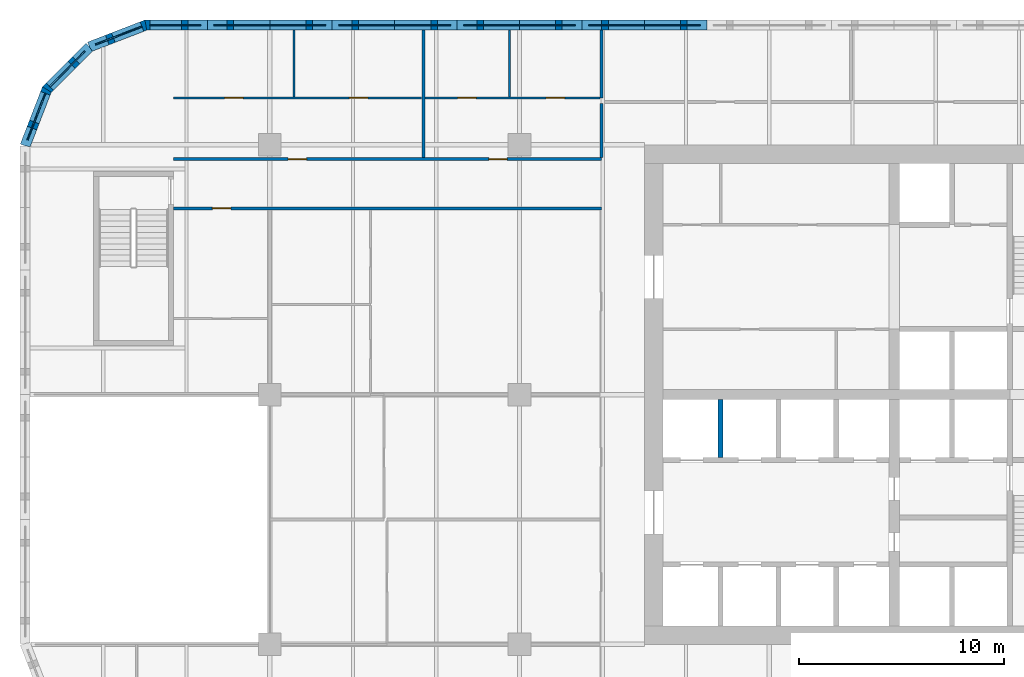
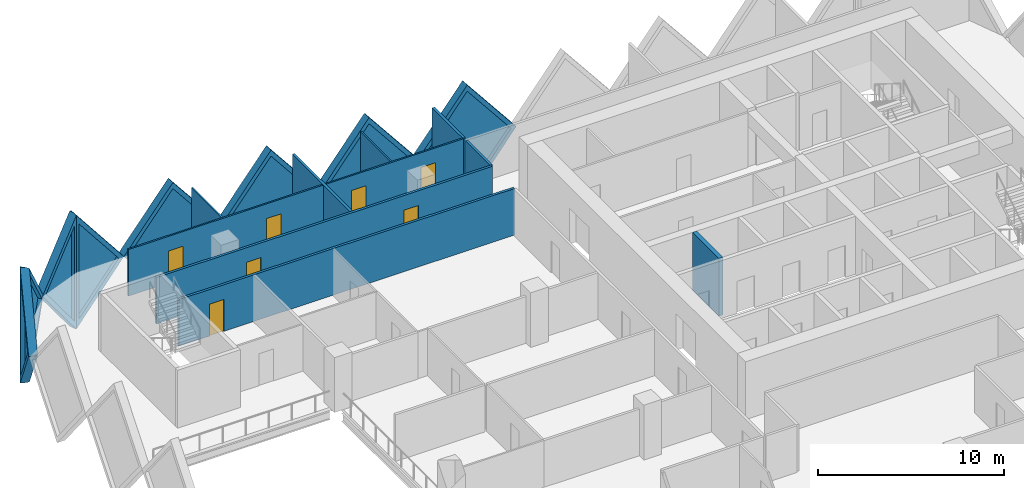
# One storey, part 8 of 18: 18 walls, 8 plates, 7 doors, 15 openings.
"""IFC4 building model written with IfcOpenShell, lengths in metres."""

from ifc_helpers import new_model, si_unit, direction, frame, frame_2d, origin, place, context, subcontext, project, spatial, polyline, rectangle, outline, extrude, faceted_brep, source, transform, mapped, material, layer, layer_set, type_object, element, fill, save


model = new_model("IFC4")

# Units and contexts
model_context = context("Model", 3, precision=1e-05, world=origin(), true_north=direction((0.0, 1.0)))
body_context = subcontext(model_context, "Body", "Model", "MODEL_VIEW")
ifc_project = project(units=[si_unit("LENGTHUNIT", "METRE"), si_unit("AREAUNIT", "SQUARE_METRE"), si_unit("VOLUMEUNIT", "CUBIC_METRE"), si_unit("PLANEANGLEUNIT", "RADIAN"), si_unit("MASSUNIT", "GRAM", prefix="KILO")], contexts=[model_context])

# Site, building, storey
site_placement = place(None, origin())
site = spatial("IfcSite", under=ifc_project, at=site_placement, CompositionType="ELEMENT")
building_placement = place(site_placement, origin())
building = spatial("IfcBuilding", under=site, at=building_placement, Name="Tessera Gate Towers", CompositionType="ELEMENT")
storey_placement = place(building_placement, frame((0.0, 0.0, 41.0)))
storey = spatial("IfcBuildingStorey", under=building, at=storey_placement, Name="L09", CompositionType="ELEMENT", Elevation=41.0)

# Wall
ifc_material_1 = material(Name="Concrete C40/50", Category="concrete")
ifc_layer_1 = layer(ifc_material_1, 0.25)
ifc_layer_set_1 = layer_set([ifc_layer_1], Name="CORE ENCLOSURE WALL 250")
wall_type_1 = type_object("IfcWallType", Name="CORE ENCLOSURE WALL 250", PredefinedType="SOLIDWALL", material=ifc_layer_set_1)
wall_1_placement = place(storey_placement, frame((34.22509765625, 33.52490234375, 0.0), z_axis=(0.0, 0.0, 1.0), x_axis=(0.0, 1.0, 0.0)))
element("IfcWall", 1, at=wall_1_placement, inside=storey, type_object=wall_type_1, Name="L09 shaft and stair enclosure wall", PredefinedType="SOLIDWALL", context=body_context, shape_type="SweptSolid", body=[
    extrude(rectangle(XDim=2.8251953125, YDim=0.25, at=frame_2d((1.41259765625, 0.0))), origin(), (0.0, 0.0, 1.0), 3.800048828125),
])

# Wall, opening, door
ifc_material_2 = material(Name="Gypsum board on steel studs, mineral wool", Category="steel")
ifc_layer_2 = layer(ifc_material_2, 0.14990234375)
ifc_layer_set_2 = layer_set([ifc_layer_2], Name="CORRIDOR WALL 150")
wall_type_2 = type_object("IfcWallType", Name="CORRIDOR WALL 150", PredefinedType="PARTITIONING", material=ifc_layer_set_2)
wall_2_placement = place(storey_placement, frame((28.39990234375, 45.699951171875, 0.0), z_axis=(0.0, 0.0, 1.0), x_axis=(-1.0, 0.0, 0.0)))
wall_2 = element("IfcWall", 2, at=wall_2_placement, inside=storey, type_object=wall_type_2, Name="T1-L09-PW-042", PredefinedType="PARTITIONING", context=body_context, shape_type="SweptSolid", body=[
    extrude(rectangle(XDim=20.89990234375, YDim=0.14990234375, at=frame_2d((10.449951171875, 0.0))), origin(), (0.0, 0.0, 1.0), 3.06689453125),
])
shared_shape_1 = source(origin(), body_context, "Body", "SweptSolid", [
    extrude(rectangle(XDim=0.89990234375, YDim=2.10009765625, at=frame_2d((0.449951171875, 1.050048828125))), frame((0.0, 0.0849609375, 0.0), z_axis=(0.0, -1.0, 0.0), x_axis=(1.0, 0.0, 0.0)), (0.0, 0.0, 1.0), 0.169921875),
])
opening_1_placement = place(wall_2_placement, frame((18.10009765625, 0.0, 0.0)))
opening_1 = element("IfcOpeningElement", 3, at=opening_1_placement, cuts=wall_2, Name="Opening D890FD60-A03-02", PredefinedType="OPENING", context=body_context, shape_type="MappedRepresentation", body=[
    mapped(shared_shape_1, transform((0.0, 0.0, 0.0), scale=1.0)),
])
ifc_material_3 = material(Name="Timber door leaf in steel frame", Category="steel")
door_type_1 = type_object("IfcDoorType", Name="CORRIDOR DOOR 900 FD60", OperationType="NOTDEFINED", PredefinedType="DOOR", material=ifc_material_3)
shared_shape_2 = source(origin(), body_context, "Body", "SweptSolid", [
    extrude(rectangle(XDim=0.89990234375, YDim=2.10009765625, at=frame_2d((0.449951171875, 1.050048828125))), frame((0.0, 0.02490234375, 0.0), z_axis=(0.0, -1.0, 0.0), x_axis=(1.0, 0.0, 0.0)), (0.0, 0.0, 1.0), 0.050048828125),
])
door_1_placement = place(opening_1_placement, origin())
door_1 = element("IfcDoor", 4, at=door_1_placement, inside=storey, type_object=door_type_1, Name="T1-L09-PD-007", OperationType="SINGLE_SWING_RIGHT", OverallHeight=2.10009765625, OverallWidth=0.89990234375, PredefinedType="DOOR", context=body_context, shape_type="MappedRepresentation", body=[
    mapped(shared_shape_2, transform((0.0, 0.0, 0.0), scale=1.0)),
])
fill(opening_1, door_1)

# Wall, openings, doors
wall_3_placement = place(storey_placement, frame((7.5, 48.10009765625, 0.0), z_axis=(0.0, 0.0, 1.0), x_axis=(1.0, 0.0, 0.0)))
wall_3 = element("IfcWall", 5, at=wall_3_placement, inside=storey, type_object=wall_type_2, Name="T1-L09-PW-043", PredefinedType="PARTITIONING", context=body_context, shape_type="SweptSolid", body=[
    extrude(rectangle(XDim=20.89990234375, YDim=0.14990234375, at=frame_2d((10.449951171875, 0.0))), origin(), (0.0, 0.0, 1.0), 3.06689453125),
])
opening_2_placement = place(wall_3_placement, frame((15.40087890625, 0.0, 0.0)))
opening_2 = element("IfcOpeningElement", 6, at=opening_2_placement, cuts=wall_3, Name="Opening D890FD60-A03-07", PredefinedType="OPENING", context=body_context, shape_type="MappedRepresentation", body=[
    mapped(shared_shape_1, transform((0.0, 0.0, 0.0), scale=1.0)),
])
opening_3_placement = place(wall_3_placement, frame((5.60009765625, 0.0, 0.0)))
opening_3 = element("IfcOpeningElement", 7, at=opening_3_placement, cuts=wall_3, Name="Opening D890FD60-A03-12", PredefinedType="OPENING", context=body_context, shape_type="MappedRepresentation", body=[
    mapped(shared_shape_1, transform((0.0, 0.0, 0.0), scale=1.0)),
])
door_2_placement = place(opening_2_placement, origin())
door_2 = element("IfcDoor", 8, at=door_2_placement, inside=storey, type_object=door_type_1, Name="T1-L09-PD-022", OperationType="SINGLE_SWING_LEFT", OverallHeight=2.10009765625, OverallWidth=0.89990234375, PredefinedType="DOOR", context=body_context, shape_type="MappedRepresentation", body=[
    mapped(shared_shape_2, transform((0.0, 0.0, 0.0), scale=1.0)),
])
fill(opening_2, door_2)
door_3_placement = place(opening_3_placement, origin())
door_3 = element("IfcDoor", 9, at=door_3_placement, inside=storey, type_object=door_type_1, Name="T1-L09-PD-029", OperationType="SINGLE_SWING_LEFT", OverallHeight=2.10009765625, OverallWidth=0.89990234375, PredefinedType="DOOR", context=body_context, shape_type="MappedRepresentation", body=[
    mapped(shared_shape_2, transform((0.0, 0.0, 0.0), scale=1.0)),
])
fill(opening_3, door_3)

# Wall
wall_4_placement = place(storey_placement, frame((28.39990234375, 48.176025390625, 0.0), z_axis=(0.0, 0.0, 1.0), x_axis=(0.0, 1.0, 0.0)))
element("IfcWall", 10, at=wall_4_placement, inside=storey, type_object=wall_type_2, Name="T1-L09-PW-045", PredefinedType="PARTITIONING", context=body_context, shape_type="SweptSolid", body=[
    extrude(rectangle(XDim=2.64794921875, YDim=0.14990234375, at=frame_2d((1.323974609375, 0.0))), origin(), (0.0, 0.0, 1.0), 3.06689453125),
])

# Wall, openings, doors
ifc_material_4 = material(Name="Gypsum board on steel studs", Category="steel")
ifc_layer_3 = layer(ifc_material_4, 0.10009765625)
ifc_layer_set_3 = layer_set([ifc_layer_3], Name="PARTITION 100")
wall_type_3 = type_object("IfcWallType", Name="PARTITION 100", PredefinedType="PARTITIONING", material=ifc_layer_set_3)
wall_5_placement = place(storey_placement, frame((7.5, 51.10009765625, 0.0), z_axis=(0.0, 0.0, 1.0), x_axis=(1.0, 0.0, 0.0)))
wall_5 = element("IfcWall", 11, at=wall_5_placement, inside=storey, type_object=wall_type_3, Name="T1-L09-PW-049", PredefinedType="PARTITIONING", context=body_context, shape_type="SweptSolid", body=[
    extrude(rectangle(XDim=12.1240234375, YDim=0.10009765625, at=frame_2d((6.06201171875, 0.0))), origin(), (0.0, 0.0, 1.0), 3.06689453125),
])
shared_shape_3 = source(origin(), body_context, "Body", "SweptSolid", [
    extrude(rectangle(XDim=0.89990234375, YDim=2.10009765625, at=frame_2d((0.449951171875, 1.050048828125))), frame((0.0, 0.06005859375, 0.0), z_axis=(0.0, -1.0, 0.0), x_axis=(1.0, 0.0, 0.0)), (0.0, 0.0, 1.0), 0.1201171875),
])
opening_4_placement = place(wall_5_placement, frame((2.5, 0.0, 0.0)))
opening_4 = element("IfcOpeningElement", 12, at=opening_4_placement, cuts=wall_5, Name="Opening D190-A03-07", PredefinedType="OPENING", context=body_context, shape_type="MappedRepresentation", body=[
    mapped(shared_shape_3, transform((0.0, 0.0, 0.0), scale=1.0)),
])
opening_5_placement = place(wall_5_placement, frame((8.59375, 0.0, 0.0)))
opening_5 = element("IfcOpeningElement", 13, at=opening_5_placement, cuts=wall_5, Name="Opening D190-A03-10", PredefinedType="OPENING", context=body_context, shape_type="MappedRepresentation", body=[
    mapped(shared_shape_3, transform((0.0, 0.0, 0.0), scale=1.0)),
])
ifc_material_5 = material(Name="Timber door leaf in steel frame", Category="steel")
door_type_2 = type_object("IfcDoorType", Name="INTERNAL DOOR 900 NOT RATED", OperationType="NOTDEFINED", PredefinedType="DOOR", material=ifc_material_5)
door_4_placement = place(opening_4_placement, origin())
door_4 = element("IfcDoor", 14, at=door_4_placement, inside=storey, type_object=door_type_2, Name="T1-L09-PD-011", OperationType="SINGLE_SWING_LEFT", OverallHeight=2.10009765625, OverallWidth=0.89990234375, PredefinedType="DOOR", context=body_context, shape_type="MappedRepresentation", body=[
    mapped(shared_shape_2, transform((0.0, 0.0, 0.0), scale=1.0)),
])
fill(opening_4, door_4)
door_5_placement = place(opening_5_placement, origin())
door_5 = element("IfcDoor", 15, at=door_5_placement, inside=storey, type_object=door_type_2, Name="T1-L09-PD-018", OperationType="SINGLE_SWING_LEFT", OverallHeight=2.10009765625, OverallWidth=0.89990234375, PredefinedType="DOOR", context=body_context, shape_type="MappedRepresentation", body=[
    mapped(shared_shape_2, transform((0.0, 0.0, 0.0), scale=1.0)),
])
fill(opening_5, door_5)

wall_6_placement = place(storey_placement, frame((19.77587890625, 51.10009765625, 0.0), z_axis=(0.0, 0.0, 1.0), x_axis=(1.0, 0.0, 0.0)))
wall_6 = element("IfcWall", 16, at=wall_6_placement, inside=storey, type_object=wall_type_3, Name="T1-L09-PW-050", PredefinedType="PARTITIONING", context=body_context, shape_type="SweptSolid", body=[
    extrude(rectangle(XDim=8.548095703125, YDim=0.10009765625, at=frame_2d((4.27392578125, 0.0))), origin(), (0.0, 0.0, 1.0), 3.06689453125),
])
opening_6_placement = place(wall_6_placement, frame((1.60009765625, 0.0, 0.0)))
opening_6 = element("IfcOpeningElement", 17, at=opening_6_placement, cuts=wall_6, Name="Opening D190-A03-01", PredefinedType="OPENING", context=body_context, shape_type="MappedRepresentation", body=[
    mapped(shared_shape_3, transform((0.0, 0.0, 0.0), scale=1.0)),
])
opening_7_placement = place(wall_6_placement, frame((5.927001953125, 0.0, 0.0)))
opening_7 = element("IfcOpeningElement", 18, at=opening_7_placement, cuts=wall_6, Name="Opening D190-A03-03", PredefinedType="OPENING", context=body_context, shape_type="MappedRepresentation", body=[
    mapped(shared_shape_3, transform((0.0, 0.0, 0.0), scale=1.0)),
])
door_6_placement = place(opening_6_placement, origin())
door_6 = element("IfcDoor", 19, at=door_6_placement, inside=storey, type_object=door_type_2, Name="T1-L09-PD-002", OperationType="SINGLE_SWING_LEFT", OverallHeight=2.10009765625, OverallWidth=0.89990234375, PredefinedType="DOOR", context=body_context, shape_type="MappedRepresentation", body=[
    mapped(shared_shape_2, transform((0.0, 0.0, 0.0), scale=1.0)),
])
fill(opening_6, door_6)
door_7_placement = place(opening_7_placement, origin())
door_7 = element("IfcDoor", 20, at=door_7_placement, inside=storey, type_object=door_type_2, Name="T1-L09-PD-004", OperationType="SINGLE_SWING_LEFT", OverallHeight=2.10009765625, OverallWidth=0.89990234375, PredefinedType="DOOR", context=body_context, shape_type="MappedRepresentation", body=[
    mapped(shared_shape_2, transform((0.0, 0.0, 0.0), scale=1.0)),
])
fill(opening_7, door_7)

# Walls
for number, where, z_axis, x_axis, name in (
    (21, (13.39404296875, 51.15087890625, 0.0), (0.0, 0.0, 1.0), (0.0, 1.0, 0.0), "T1-L09-PW-052"),
    (22, (23.903076171875, 51.15087890625, 0.0), (0.0, 0.0, 1.0), (0.0, 1.0, 0.0), "T1-L09-PW-053"),
):
    element("IfcWall", number, at=place(storey_placement, frame(where, z_axis=z_axis, x_axis=x_axis)), inside=storey, type_object=wall_type_3, Name=name, PredefinedType="PARTITIONING", context=body_context, shape_type="SweptSolid", body=[
        extrude(rectangle(XDim=3.2490234375, YDim=0.10009765625, at=frame_2d((1.62451171875, 0.0))), origin(), (0.0, 0.0, 1.0), 3.06689453125),
    ])
ifc_material_6 = material(Name="Gypsum board on steel studs, mineral wool", Category="steel")
ifc_layer_4 = layer(ifc_material_6, 0.14990234375)
ifc_layer_set_4 = layer_set([ifc_layer_4], Name="TENANCY WALL 150")
wall_type_4 = type_object("IfcWallType", Name="TENANCY WALL 150", PredefinedType="PARTITIONING", material=ifc_layer_set_4)
wall_7_placement = place(storey_placement, frame((19.699951171875, 48.176025390625, 0.0), z_axis=(0.0, 0.0, 1.0), x_axis=(0.0, 1.0, 0.0)))
element("IfcWall", 23, at=wall_7_placement, inside=storey, type_object=wall_type_4, Name="T1-L09-PW-044", PredefinedType="PARTITIONING", context=body_context, shape_type="SweptSolid", body=[
    extrude(rectangle(XDim=6.223876953125, YDim=0.14990234375, at=frame_2d((3.11181640625, 0.0))), origin(), (0.0, 0.0, 1.0), 3.06689453125),
])
wall_8_placement = place(storey_placement, frame((28.39990234375, 51.10009765625, 0.0), z_axis=(0.0, 0.0, 1.0), x_axis=(0.0, 1.0, 0.0)))
element("IfcWall", 24, at=wall_8_placement, inside=storey, type_object=wall_type_4, Name="T1-L09-PW-051", PredefinedType="PARTITIONING", context=body_context, shape_type="SweptSolid", body=[
    extrude(rectangle(XDim=3.2998046875, YDim=0.14990234375, at=frame_2d((1.64990234375, 0.0))), origin(), (0.0, 0.0, 1.0), 3.06689453125),
])

# Wall, opening, plate
ifc_material_7 = material(Name="Precast concrete C60/75 white", Category="concrete")
ifc_layer_5 = layer(ifc_material_7, 0.5)
ifc_layer_set_5 = layer_set([ifc_layer_5], Name="TS1 tessera")
wall_type_5 = type_object("IfcWallType", Name="TS1 tessera", PredefinedType="SOLIDWALL", material=ifc_layer_set_5)
shared_shape_4 = source(origin(), body_context, "Body", "Brep", [
    faceted_brep([(3.050048828125, -0.25, 0.0), (6.099853515625, -0.25, 3.7998046875), (6.099853515625, -0.25, 3.80029296875), (3.050048828125, -0.25, 7.60009765625), (0.0, -0.25, 3.800048828125), (0.0, 0.25, 3.800048828125), (3.050048828125, 0.25, 7.60009765625), (6.099853515625, 0.25, 3.80029296875), (6.099853515625, 0.25, 3.7998046875), (3.050048828125, 0.25, 0.0)], [[[0, 1, 2, 3, 4]], [[5, 6, 7, 8, 9]], [[9, 8, 1, 0]], [[7, 6, 3, 2]], [[6, 5, 4, 3]], [[5, 9, 0, 4]], [[1, 8, 7, 2]]]),
])
wall_9_placement = place(storey_placement, frame((27.449951171875, 54.64990234375, -3.800048828125), z_axis=(0.0, 0.0, 1.0), x_axis=(-1.0, 0.0, 0.0)))
wall_9 = element("IfcWall", 25, at=wall_9_placement, inside=storey, type_object=wall_type_5, Name="Precast tessera T1 TS1-0106", PredefinedType="SOLIDWALL", context=body_context, shape_type="MappedRepresentation", body=[
    mapped(shared_shape_4, transform((0.0, 0.0, 0.0), scale=1.0)),
])
shared_shape_5 = source(origin(), body_context, "Body", "SweptSolid", [
    extrude(outline(polyline([(3.050048828125, 0.3994140625), (5.779541015625, 3.800048828125), (3.050048828125, 7.20068359375), (0.320556640625, 3.800048828125), (3.050048828125, 0.3994140625)])), frame((0.0, 0.260009765625, 0.0), z_axis=(0.0, -1.0, 0.0), x_axis=(1.0, 0.0, 0.0)), (0.0, 0.0, 1.0), 0.52001953125),
])
opening_8_placement = place(wall_9_placement, origin())
opening_8 = element("IfcOpeningElement", 26, at=opening_8_placement, cuts=wall_9, Name="Opening T1-PL2-0212", PredefinedType="OPENING", context=body_context, shape_type="MappedRepresentation", body=[
    mapped(shared_shape_5, transform((0.0, 0.0, 0.0), scale=1.0)),
])
ifc_material_8 = material(Name="Low-e laminated glass", Category="glass")
ifc_layer_6 = layer(ifc_material_8, 0.06005859375)
ifc_layer_set_6 = layer_set([ifc_layer_6], Name="PL2 rhombic pane")
plate_type = type_object("IfcPlateType", Name="PL2 rhombic pane", PredefinedType="SHEET", material=ifc_layer_set_6)
shared_shape_6 = source(origin(), body_context, "Body", "SweptSolid", [
    extrude(outline(polyline([(3.050048828125, 0.3994140625), (5.779541015625, 3.800048828125), (3.050048828125, 7.20068359375), (0.320556640625, 3.800048828125), (3.050048828125, 0.3994140625)])), frame((0.0, 0.030029296875, 0.0), z_axis=(0.0, -1.0, 0.0), x_axis=(1.0, 0.0, 0.0)), (0.0, 0.0, 1.0), 0.06005859375),
])
plate_1_placement = place(opening_8_placement, origin())
plate_1 = element("IfcPlate", 27, at=plate_1_placement, inside=storey, type_object=plate_type, Name="Glass pane T1 PL2-0212", PredefinedType="SHEET", context=body_context, shape_type="MappedRepresentation", body=[
    mapped(shared_shape_6, transform((0.0, 0.0, 0.0), scale=1.0)),
])
fill(opening_8, plate_1)

shared_shape_7 = source(origin(), body_context, "Body", "SweptSolid", [
    extrude(outline(polyline([(3.050048828125, 0.0), (6.10009765625, 3.800048828125), (3.050048828125, 7.60009765625), (0.0, 3.800048828125), (3.050048828125, 0.0)])), frame((0.0, 0.25, 0.0), z_axis=(0.0, -1.0, 0.0), x_axis=(1.0, 0.0, 0.0)), (0.0, 0.0, 1.0), 0.5),
])
wall_10_placement = place(storey_placement, frame((33.550048828125, 54.64990234375, -3.800048828125), z_axis=(0.0, 0.0, 1.0), x_axis=(-1.0, 0.0, 0.0)))
wall_10 = element("IfcWall", 28, at=wall_10_placement, inside=storey, type_object=wall_type_5, Name="Precast tessera T1 TS1-0105", PredefinedType="SOLIDWALL", context=body_context, shape_type="MappedRepresentation", body=[
    mapped(shared_shape_7, transform((0.0, 0.0, 0.0), scale=1.0)),
])
opening_9_placement = place(wall_10_placement, origin())
opening_9 = element("IfcOpeningElement", 29, at=opening_9_placement, cuts=wall_10, Name="Opening T1-PL2-0211", PredefinedType="OPENING", context=body_context, shape_type="MappedRepresentation", body=[
    mapped(shared_shape_5, transform((0.0, 0.0, 0.0), scale=1.0)),
])
plate_2_placement = place(opening_9_placement, origin())
plate_2 = element("IfcPlate", 30, at=plate_2_placement, inside=storey, type_object=plate_type, Name="Glass pane T1 PL2-0211", PredefinedType="SHEET", context=body_context, shape_type="MappedRepresentation", body=[
    mapped(shared_shape_6, transform((0.0, 0.0, 0.0), scale=1.0)),
])
fill(opening_9, plate_2)

wall_11_placement = place(storey_placement, frame((21.35009765625, 54.64990234375, -3.800048828125), z_axis=(0.0, 0.0, 1.0), x_axis=(-1.0, 0.0, 0.0)))
wall_11 = element("IfcWall", 31, at=wall_11_placement, inside=storey, type_object=wall_type_5, Name="Precast tessera T1 TS1-0107", PredefinedType="SOLIDWALL", context=body_context, shape_type="MappedRepresentation", body=[
    mapped(shared_shape_7, transform((0.0, 0.0, 0.0), scale=1.0)),
])
opening_10_placement = place(wall_11_placement, origin())
opening_10 = element("IfcOpeningElement", 32, at=opening_10_placement, cuts=wall_11, Name="Opening T1-PL2-0213", PredefinedType="OPENING", context=body_context, shape_type="MappedRepresentation", body=[
    mapped(shared_shape_5, transform((0.0, 0.0, 0.0), scale=1.0)),
])
plate_3_placement = place(opening_10_placement, origin())
plate_3 = element("IfcPlate", 33, at=plate_3_placement, inside=storey, type_object=plate_type, Name="Glass pane T1 PL2-0213", PredefinedType="SHEET", context=body_context, shape_type="MappedRepresentation", body=[
    mapped(shared_shape_6, transform((0.0, 0.0, 0.0), scale=1.0)),
])
fill(opening_10, plate_3)

wall_12_placement = place(storey_placement, frame((15.25, 54.64990234375, -3.800048828125), z_axis=(0.0, 0.0, 1.0), x_axis=(-1.0, 0.0, 0.0)))
wall_12 = element("IfcWall", 34, at=wall_12_placement, inside=storey, type_object=wall_type_5, Name="Precast tessera T1 TS1-0108", PredefinedType="SOLIDWALL", context=body_context, shape_type="MappedRepresentation", body=[
    mapped(shared_shape_7, transform((0.0, 0.0, 0.0), scale=1.0)),
])
opening_11_placement = place(wall_12_placement, origin())
opening_11 = element("IfcOpeningElement", 35, at=opening_11_placement, cuts=wall_12, Name="Opening T1-PL2-0214", PredefinedType="OPENING", context=body_context, shape_type="MappedRepresentation", body=[
    mapped(shared_shape_5, transform((0.0, 0.0, 0.0), scale=1.0)),
])
plate_4_placement = place(opening_11_placement, origin())
plate_4 = element("IfcPlate", 36, at=plate_4_placement, inside=storey, type_object=plate_type, Name="Glass pane T1 PL2-0214", PredefinedType="SHEET", context=body_context, shape_type="MappedRepresentation", body=[
    mapped(shared_shape_6, transform((0.0, 0.0, 0.0), scale=1.0)),
])
fill(opening_11, plate_4)

ifc_material_9 = material(Name="Precast concrete C60/75 white", Category="concrete")
ifc_layer_7 = layer(ifc_material_9, 0.5)
ifc_layer_set_7 = layer_set([ifc_layer_7], Name="TS3 corner tessera")
wall_type_6 = type_object("IfcWallType", Name="TS3 corner tessera", PredefinedType="SOLIDWALL", material=ifc_layer_set_7)
shared_shape_8 = source(origin(), body_context, "Body", "Brep", [
    faceted_brep([(3.00341796875, -0.25, 0.0), (3.050048828125, -0.25, 0.06005859375), (3.050048828125, -0.25, 7.5400390625), (3.00341796875, -0.25, 7.60009765625), (0.0, -0.25, 3.800048828125), (0.0, 0.25, 3.800048828125), (2.956787109375, 0.25, 7.541259765625), (2.956787109375, 0.25, 0.058837890625), (3.00341796875, 0.000244140625, 0.0), (3.00341796875, 0.000244140625, 7.60009765625)], [[[0, 1, 2, 3, 4]], [[5, 6, 7]], [[1, 0, 8]], [[9, 3, 2]], [[6, 5, 4, 3, 9]], [[5, 7, 8, 0, 4]], [[1, 8, 7, 6, 9, 2]]]),
])
wall_13_placement = place(storey_placement, frame((9.14990234375, 54.64990234375, -3.800048828125), z_axis=(0.0, 0.0, 1.0), x_axis=(-1.0, 0.0, 0.0)))
wall_13 = element("IfcWall", 37, at=wall_13_placement, inside=storey, type_object=wall_type_6, Name="Precast corner tessera T1 TS3-0179", PredefinedType="SOLIDWALL", context=body_context, shape_type="MappedRepresentation", body=[
    mapped(shared_shape_8, transform((0.0, 0.0, 0.0), scale=1.0)),
])
shared_shape_9 = source(origin(), body_context, "Body", "SweptSolid", [
    extrude(outline(polyline([(2.803466796875, 6.94384765625), (0.318603515625, 3.800048828125), (2.803466796875, 0.65625), (2.803466796875, 6.94384765625)])), frame((0.0, 0.260009765625, 0.0), z_axis=(0.0, -1.0, 0.0), x_axis=(1.0, 0.0, 0.0)), (0.0, 0.0, 1.0), 0.52001953125),
])
opening_12_placement = place(wall_13_placement, origin())
opening_12 = element("IfcOpeningElement", 38, at=opening_12_placement, cuts=wall_13, Name="Opening T1-PL2-0215", PredefinedType="OPENING", context=body_context, shape_type="MappedRepresentation", body=[
    mapped(shared_shape_9, transform((0.0, 0.0, 0.0), scale=1.0)),
])
shared_shape_10 = source(origin(), body_context, "Body", "SweptSolid", [
    extrude(outline(polyline([(2.803466796875, 6.94384765625), (0.318603515625, 3.800048828125), (2.803466796875, 0.65625), (2.803466796875, 6.94384765625)])), frame((0.0, 0.030029296875, 0.0), z_axis=(0.0, -1.0, 0.0), x_axis=(1.0, 0.0, 0.0)), (0.0, 0.0, 1.0), 0.06005859375),
])
plate_5_placement = place(opening_12_placement, origin())
plate_5 = element("IfcPlate", 39, at=plate_5_placement, inside=storey, type_object=plate_type, Name="Glass pane T1 PL2-0215", PredefinedType="SHEET", context=body_context, shape_type="MappedRepresentation", body=[
    mapped(shared_shape_10, transform((0.0, 0.0, 0.0), scale=1.0)),
])
fill(opening_12, plate_5)

shared_shape_11 = source(origin(), body_context, "Body", "Brep", [
    faceted_brep([(0.046630859375, -0.25, 0.0), (2.9970703125, -0.25, 3.800048828125), (0.046630859375, -0.25, 7.60009765625), (0.0, -0.25, 7.541259765625), (0.0, -0.25, 0.058837890625), (0.09326171875, 0.25, 7.5400390625), (2.9443359375, 0.25, 3.8681640625), (2.9443359375, 0.25, 3.73193359375), (0.09326171875, 0.25, 0.06005859375), (2.9970703125, 0.00048828125, 3.800048828125), (0.046630859375, 0.0, 0.0), (0.046630859375, 0.0, 7.60009765625)], [[[0, 1, 2, 3, 4]], [[5, 6, 7, 8]], [[8, 7, 9, 1, 0, 10]], [[6, 5, 11, 2, 1, 9]], [[3, 2, 11]], [[10, 0, 4]], [[8, 10, 4, 3, 11, 5]], [[9, 7, 6]]]),
])
wall_14_placement = place(storey_placement, frame((6.18994140625, 54.666748046875, -3.800048828125), z_axis=(0.0, 0.0, 1.0), x_axis=(-0.932990326376, -0.359901446078, 0.0)))
wall_14 = element("IfcWall", 40, at=wall_14_placement, inside=storey, type_object=wall_type_6, Name="Precast corner tessera T1 TS3-0180", PredefinedType="SOLIDWALL", context=body_context, shape_type="MappedRepresentation", body=[
    mapped(shared_shape_11, transform((0.0, 0.0, 0.0), scale=1.0)),
])
shared_shape_12 = source(origin(), body_context, "Body", "SweptSolid", [
    extrude(outline(polyline([(0.24658203125, 0.665283203125), (2.6806640625, 3.800048828125), (0.24658203125, 6.934814453125), (0.24658203125, 0.665283203125)])), frame((0.0, 0.260009765625, 0.0), z_axis=(0.0, -1.0, 0.0), x_axis=(1.0, 0.0, 0.0)), (0.0, 0.0, 1.0), 0.52001953125),
])
opening_13_placement = place(wall_14_placement, origin())
opening_13 = element("IfcOpeningElement", 41, at=opening_13_placement, cuts=wall_14, Name="Opening T1-PL2-0216", PredefinedType="OPENING", context=body_context, shape_type="MappedRepresentation", body=[
    mapped(shared_shape_12, transform((0.0, 0.0, 0.0), scale=1.0)),
])
shared_shape_13 = source(origin(), body_context, "Body", "SweptSolid", [
    extrude(outline(polyline([(0.24658203125, 0.665283203125), (2.6806640625, 3.800048828125), (0.24658203125, 6.934814453125), (0.24658203125, 0.665283203125)])), frame((0.0, 0.030029296875, 0.0), z_axis=(0.0, -1.0, 0.0), x_axis=(1.0, 0.0, 0.0)), (0.0, 0.0, 1.0), 0.06005859375),
])
plate_6_placement = place(opening_13_placement, origin())
plate_6 = element("IfcPlate", 42, at=plate_6_placement, inside=storey, type_object=plate_type, Name="Glass pane T1 PL2-0216", PredefinedType="SHEET", context=body_context, shape_type="MappedRepresentation", body=[
    mapped(shared_shape_13, transform((0.0, 0.0, 0.0), scale=1.0)),
])
fill(opening_13, plate_6)

shared_shape_14 = source(origin(), body_context, "Body", "Brep", [
    faceted_brep([(0.052978515625, -0.25, 0.0), (3.00341796875, -0.25, 3.800048828125), (0.052978515625, -0.25, 7.60009765625), (0.0, -0.25, 7.53173828125), (0.0, -0.25, 0.068359375), (0.10595703125, 0.25, 7.531982421875), (2.95703125, 0.25, 3.85986328125), (2.95703125, 0.25, 3.740234375), (0.10595703125, 0.25, 0.068115234375), (3.00341796875, 0.00048828125, 3.800048828125), (0.052978515625, 0.0, 0.0), (0.052978515625, 0.0, 7.60009765625)], [[[0, 1, 2, 3, 4]], [[5, 6, 7, 8]], [[8, 7, 9, 1, 0, 10]], [[6, 5, 11, 2, 1, 9]], [[3, 2, 11]], [[10, 0, 4]], [[8, 10, 4, 3, 11, 5]], [[9, 7, 6]]]),
])
wall_15_placement = place(storey_placement, frame((1.3310546875, 51.5556640625, -3.800048828125), z_axis=(0.0, 0.0, 1.0), x_axis=(-0.35992665181, -0.932980602862, 0.0)))
wall_15 = element("IfcWall", 43, at=wall_15_placement, inside=storey, type_object=wall_type_6, Name="Precast corner tessera T1 TS3-0182", PredefinedType="SOLIDWALL", context=body_context, shape_type="MappedRepresentation", body=[
    mapped(shared_shape_14, transform((0.0, 0.0, 0.0), scale=1.0)),
])
shared_shape_15 = source(origin(), body_context, "Body", "SweptSolid", [
    extrude(outline(polyline([(0.2529296875, 0.665283203125), (2.68701171875, 3.800048828125), (0.2529296875, 6.934814453125), (0.2529296875, 0.665283203125)])), frame((0.0, 0.260009765625, 0.0), z_axis=(0.0, -1.0, 0.0), x_axis=(1.0, 0.0, 0.0)), (0.0, 0.0, 1.0), 0.52001953125),
])
opening_14_placement = place(wall_15_placement, origin())
opening_14 = element("IfcOpeningElement", 44, at=opening_14_placement, cuts=wall_15, Name="Opening T1-PL2-0218", PredefinedType="OPENING", context=body_context, shape_type="MappedRepresentation", body=[
    mapped(shared_shape_15, transform((0.0, 0.0, 0.0), scale=1.0)),
])
shared_shape_16 = source(origin(), body_context, "Body", "SweptSolid", [
    extrude(outline(polyline([(0.2529296875, 0.665283203125), (2.68701171875, 3.800048828125), (0.2529296875, 6.934814453125), (0.2529296875, 0.665283203125)])), frame((0.0, 0.030029296875, 0.0), z_axis=(0.0, -1.0, 0.0), x_axis=(1.0, 0.0, 0.0)), (0.0, 0.0, 1.0), 0.06005859375),
])
plate_7_placement = place(opening_14_placement, origin())
plate_7 = element("IfcPlate", 45, at=plate_7_placement, inside=storey, type_object=plate_type, Name="Glass pane T1 PL2-0218", PredefinedType="SHEET", context=body_context, shape_type="MappedRepresentation", body=[
    mapped(shared_shape_16, transform((0.0, 0.0, 0.0), scale=1.0)),
])
fill(opening_14, plate_7)

shared_shape_17 = source(origin(), body_context, "Body", "Brep", [
    faceted_brep([(2.944091796875, -0.25, 0.0), (2.9970703125, -0.25, 0.068115234375), (2.9970703125, -0.25, 7.531982421875), (2.944091796875, -0.25, 7.60009765625), (0.0, -0.25, 3.800048828125), (0.052978515625, 0.25, 3.868408203125), (2.89111328125, 0.25, 7.531982421875), (2.89111328125, 0.25, 0.068115234375), (0.052978515625, 0.25, 3.731689453125), (2.944091796875, 0.000244140625, 0.0), (2.944091796875, 0.000244140625, 7.60009765625), (0.0, 0.0, 3.800048828125)], [[[0, 1, 2, 3, 4]], [[5, 6, 7, 8]], [[1, 0, 9]], [[10, 3, 2]], [[6, 5, 11, 4, 3, 10]], [[8, 7, 9, 0, 4, 11]], [[8, 11, 5]], [[1, 9, 7, 6, 10, 2]]]),
])
wall_16_placement = place(storey_placement, frame((3.393798828125, 53.588134765625, -3.800048828125), z_axis=(0.0, 0.0, 1.0), x_axis=(-0.707106781187, -0.707106781187, 0.0)))
wall_16 = element("IfcWall", 46, at=wall_16_placement, inside=storey, type_object=wall_type_6, Name="Precast corner tessera T1 TS3-0181", PredefinedType="SOLIDWALL", context=body_context, shape_type="MappedRepresentation", body=[
    mapped(shared_shape_17, transform((0.0, 0.0, 0.0), scale=1.0)),
])
shared_shape_18 = source(origin(), body_context, "Body", "SweptSolid", [
    extrude(outline(polyline([(2.744140625, 6.933837890625), (0.316162109375, 3.800048828125), (2.744140625, 0.666259765625), (2.744140625, 6.933837890625)])), frame((0.0, 0.260009765625, 0.0), z_axis=(0.0, -1.0, 0.0), x_axis=(1.0, 0.0, 0.0)), (0.0, 0.0, 1.0), 0.52001953125),
])
opening_15_placement = place(wall_16_placement, origin())
opening_15 = element("IfcOpeningElement", 47, at=opening_15_placement, cuts=wall_16, Name="Opening T1-PL2-0217", PredefinedType="OPENING", context=body_context, shape_type="MappedRepresentation", body=[
    mapped(shared_shape_18, transform((0.0, 0.0, 0.0), scale=1.0)),
])
shared_shape_19 = source(origin(), body_context, "Body", "SweptSolid", [
    extrude(outline(polyline([(2.744140625, 6.933837890625), (0.316162109375, 3.800048828125), (2.744140625, 0.666259765625), (2.744140625, 6.933837890625)])), frame((0.0, 0.030029296875, 0.0), z_axis=(0.0, -1.0, 0.0), x_axis=(1.0, 0.0, 0.0)), (0.0, 0.0, 1.0), 0.06005859375),
])
plate_8_placement = place(opening_15_placement, origin())
plate_8 = element("IfcPlate", 48, at=plate_8_placement, inside=storey, type_object=plate_type, Name="Glass pane T1 PL2-0217", PredefinedType="SHEET", context=body_context, shape_type="MappedRepresentation", body=[
    mapped(shared_shape_19, transform((0.0, 0.0, 0.0), scale=1.0)),
])
fill(opening_15, plate_8)

save(model, "model.ifc")
